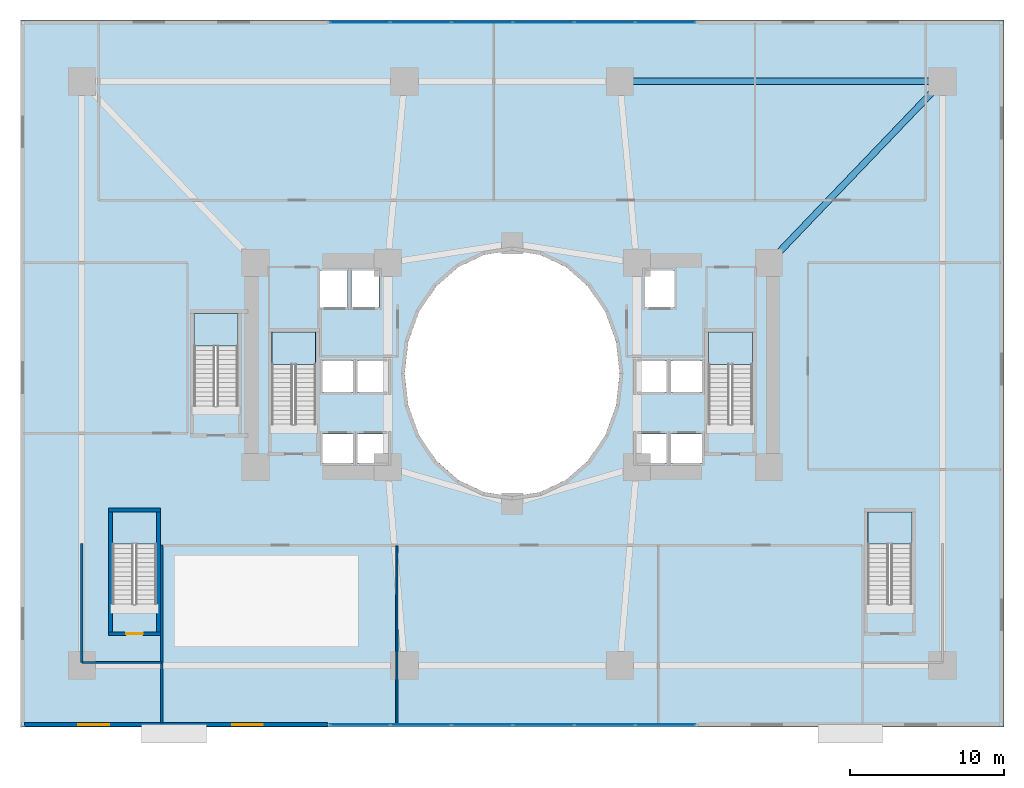
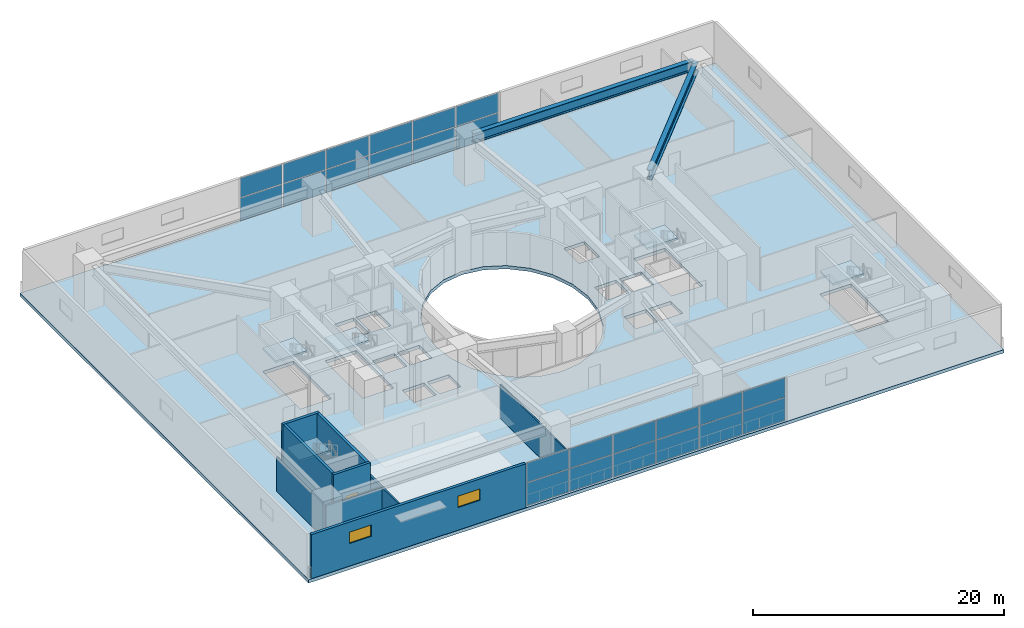
# One storey, part 10 of 20: 24 plates, 9 walls, 6 slabs, 2 beams, 2 windows, 1 door, 3 openings, 7 elements without a shape of their own.
"""IFC4 building model written with IfcOpenShell, lengths in metres."""

from ifc_helpers import new_model, si_unit, direction, frame, frame_2d, origin, origin_2d, place, context, subcontext, project, spatial, polyline, rectangle, i_section, outline, extrude, material, layer, layer_set, material_profile, profile_set, type_object, element, fill, aggregate, save


model = new_model("IFC4")

# Units and contexts
model_context = context("Model", 3, precision=1e-05, world=origin(), true_north=direction((0.0, 1.0)))
body_context = subcontext(model_context, "Body", "Model", "MODEL_VIEW")
ifc_project = project(units=[si_unit("LENGTHUNIT", "METRE"), si_unit("AREAUNIT", "SQUARE_METRE"), si_unit("VOLUMEUNIT", "CUBIC_METRE"), si_unit("PLANEANGLEUNIT", "RADIAN"), si_unit("MASSUNIT", "GRAM", prefix="KILO")], contexts=[model_context])

# Site, building, storey
site_placement = place(None, origin())
site = spatial("IfcSite", under=ifc_project, at=site_placement, CompositionType="ELEMENT")
building_placement = place(site_placement, origin())
building = spatial("IfcBuilding", under=site, at=building_placement, Name="Solvane Sanctuary Tower", CompositionType="ELEMENT")
storey_placement = place(building_placement, frame((0.0, 0.0, 9.199951171875)))
storey = spatial("IfcBuildingStorey", under=building, at=storey_placement, Name="L03", CompositionType="ELEMENT", Elevation=9.199951171875)

# Beams
ifc_material_1 = material(Name="Steel ASTM A913 Grade 65", Category="steel")
ifc_material_profile = material_profile(ifc_material_1, i_section(OverallWidth=0.423095703125, OverallDepth=0.947998046875, WebThickness=0.02392578125, FlangeThickness=0.042724609375, FilletRadius=0.02392578125, at=origin_2d()), Name="W36X302")
ifc_profile_set = profile_set([ifc_material_profile], Name="Steel ASTM A913 Grade 65")
beam_type = type_object("IfcBeamType", Name="Beam B-POD-GIRD W36X302", PredefinedType="BEAM", material=ifc_profile_set)
beam_1_placement = place(storey_placement, frame((59.64990234375, 42.0, 3.803955078125), z_axis=(-1.0, 0.0, 0.0), x_axis=(0.0, -1.0, 0.0)))
element("IfcBeam", 1, at=beam_1_placement, inside=storey, type_object=beam_type, Name="L03 Podium Primary Girder PG5", PredefinedType="BEAM", context=body_context, shape_type="SweptSolid", body=[
    extrude(i_section(OverallWidth=0.423095703125, OverallDepth=0.947998046875, WebThickness=0.02392578125, FlangeThickness=0.042724609375, FilletRadius=0.02392578125, at=origin_2d()), origin(), (0.0, 0.0, 1.0), 20.2998046875),
])
beam_2_placement = place(storey_placement, frame((59.7578125, 41.747314453125, 3.803955078125), z_axis=(-0.691633366234, -0.722248770654, 0.0), x_axis=(0.722248770654, -0.691633366234, 0.0)))
element("IfcBeam", 2, at=beam_2_placement, inside=storey, type_object=beam_type, Name="L03 Podium Primary Girder PG16", PredefinedType="BEAM", context=body_context, shape_type="SweptSolid", body=[
    extrude(i_section(OverallWidth=0.423095703125, OverallDepth=0.947998046875, WebThickness=0.02392578125, FlangeThickness=0.042724609375, FilletRadius=0.02392578125, at=origin_2d()), origin(), (0.0, 0.0, 1.0), 15.637939453125),
])

# Curtain wall, plates
ifc_material_2 = material(Name="Anodised Aluminium 6063-T6", Category="aluminium")
ifc_layer_1 = layer(ifc_material_2, 0.159912109375, Name="Anodised Aluminium 6063-T6")
ifc_layer_set_1 = layer_set([ifc_layer_1], Name="Anodised Aluminium 6063-T6")
curtain_wall_type = type_object("IfcCurtainWallType", Name="Curtain Wall CW-POD", PredefinedType="NOTDEFINED", material=ifc_layer_set_1)
curtain_wall_1_placement = place(storey_placement, origin())
curtain_wall_1 = element("IfcCurtainWall", 3, at=curtain_wall_1_placement, inside=storey, type_object=curtain_wall_type, Name="L03 Sanctuary Curtain Wall S2", PredefinedType="NOTDEFINED")
ifc_material_3 = material(Name="Dark Ceramic-Fritted Low-E Glass", Category="glass")
ifc_layer_2 = layer(ifc_material_3, 0.031982421875, Name="Dark Ceramic-Fritted Low-E Glass")
ifc_layer_set_2 = layer_set([ifc_layer_2], Name="Dark Ceramic-Fritted Low-E Glass")
plate_type = type_object("IfcPlateType", Name="Plate PN-FRIT-VIS", PredefinedType="CURTAIN_PANEL", material=ifc_layer_set_2)
plate_1_placement = place(storey_placement, frame((22.092041015625, 0.14990234375, 0.06494140625), z_axis=(0.0, 0.0, 1.0), x_axis=(1.0, 0.0, 0.0)))
plate_1 = element("IfcPlate", 4, at=plate_1_placement, type_object=plate_type, Name="CW-POD panel 1.1", PredefinedType="CURTAIN_PANEL", context=body_context, shape_type="SweptSolid", body=[
    extrude(rectangle(XDim=3.874267578125, YDim=0.031982421875, at=origin_2d()), origin(), (0.0, 0.0, 1.0), 2.202392578125),
])
plate_2_placement = place(storey_placement, frame((22.092041015625, 0.14990234375, 2.33251953125), z_axis=(0.0, 0.0, 1.0), x_axis=(1.0, 0.0, 0.0)))
plate_2 = element("IfcPlate", 5, at=plate_2_placement, type_object=plate_type, Name="CW-POD panel 1.2", PredefinedType="CURTAIN_PANEL", context=body_context, shape_type="SweptSolid", body=[
    extrude(rectangle(XDim=3.874267578125, YDim=0.031982421875, at=origin_2d()), origin(), (0.0, 0.0, 1.0), 1.882568359375),
])
plate_3_placement = place(storey_placement, frame((26.06005859375, 0.14990234375, 0.06494140625), z_axis=(0.0, 0.0, 1.0), x_axis=(1.0, 0.0, 0.0)))
plate_3 = element("IfcPlate", 6, at=plate_3_placement, type_object=plate_type, Name="CW-POD panel 2.1", PredefinedType="CURTAIN_PANEL", context=body_context, shape_type="SweptSolid", body=[
    extrude(rectangle(XDim=3.91162109375, YDim=0.031982421875, at=origin_2d()), origin(), (0.0, 0.0, 1.0), 2.202392578125),
])
plate_4_placement = place(storey_placement, frame((26.06005859375, 0.14990234375, 2.33251953125), z_axis=(0.0, 0.0, 1.0), x_axis=(1.0, 0.0, 0.0)))
plate_4 = element("IfcPlate", 7, at=plate_4_placement, type_object=plate_type, Name="CW-POD panel 2.2", PredefinedType="CURTAIN_PANEL", context=body_context, shape_type="SweptSolid", body=[
    extrude(rectangle(XDim=3.91162109375, YDim=0.031982421875, at=origin_2d()), origin(), (0.0, 0.0, 1.0), 1.882568359375),
])
plate_5_placement = place(storey_placement, frame((30.046630859375, 0.14990234375, 0.06494140625), z_axis=(0.0, 0.0, 1.0), x_axis=(1.0, 0.0, 0.0)))
plate_5 = element("IfcPlate", 8, at=plate_5_placement, type_object=plate_type, Name="CW-POD panel 3.1", PredefinedType="CURTAIN_PANEL", context=body_context, shape_type="SweptSolid", body=[
    extrude(rectangle(XDim=3.91162109375, YDim=0.031982421875, at=origin_2d()), origin(), (0.0, 0.0, 1.0), 2.202392578125),
])
plate_6_placement = place(storey_placement, frame((30.046630859375, 0.14990234375, 2.33251953125), z_axis=(0.0, 0.0, 1.0), x_axis=(1.0, 0.0, 0.0)))
plate_6 = element("IfcPlate", 9, at=plate_6_placement, type_object=plate_type, Name="CW-POD panel 3.2", PredefinedType="CURTAIN_PANEL", context=body_context, shape_type="SweptSolid", body=[
    extrude(rectangle(XDim=3.91162109375, YDim=0.031982421875, at=origin_2d()), origin(), (0.0, 0.0, 1.0), 1.882568359375),
])
plate_7_placement = place(storey_placement, frame((34.033447265625, 0.14990234375, 0.06494140625), z_axis=(0.0, 0.0, 1.0), x_axis=(1.0, 0.0, 0.0)))
plate_7 = element("IfcPlate", 10, at=plate_7_placement, type_object=plate_type, Name="CW-POD panel 4.1", PredefinedType="CURTAIN_PANEL", context=body_context, shape_type="SweptSolid", body=[
    extrude(rectangle(XDim=3.91162109375, YDim=0.031982421875, at=origin_2d()), origin(), (0.0, 0.0, 1.0), 2.202392578125),
])
plate_8_placement = place(storey_placement, frame((34.033447265625, 0.14990234375, 2.33251953125), z_axis=(0.0, 0.0, 1.0), x_axis=(1.0, 0.0, 0.0)))
plate_8 = element("IfcPlate", 11, at=plate_8_placement, type_object=plate_type, Name="CW-POD panel 4.2", PredefinedType="CURTAIN_PANEL", context=body_context, shape_type="SweptSolid", body=[
    extrude(rectangle(XDim=3.91162109375, YDim=0.031982421875, at=origin_2d()), origin(), (0.0, 0.0, 1.0), 1.882568359375),
])
plate_9_placement = place(storey_placement, frame((38.02001953125, 0.14990234375, 0.06494140625), z_axis=(0.0, 0.0, 1.0), x_axis=(1.0, 0.0, 0.0)))
plate_9 = element("IfcPlate", 12, at=plate_9_placement, type_object=plate_type, Name="CW-POD panel 5.1", PredefinedType="CURTAIN_PANEL", context=body_context, shape_type="SweptSolid", body=[
    extrude(rectangle(XDim=3.91162109375, YDim=0.031982421875, at=origin_2d()), origin(), (0.0, 0.0, 1.0), 2.202392578125),
])
plate_10_placement = place(storey_placement, frame((38.02001953125, 0.14990234375, 2.33251953125), z_axis=(0.0, 0.0, 1.0), x_axis=(1.0, 0.0, 0.0)))
plate_10 = element("IfcPlate", 13, at=plate_10_placement, type_object=plate_type, Name="CW-POD panel 5.2", PredefinedType="CURTAIN_PANEL", context=body_context, shape_type="SweptSolid", body=[
    extrude(rectangle(XDim=3.91162109375, YDim=0.031982421875, at=origin_2d()), origin(), (0.0, 0.0, 1.0), 1.882568359375),
])
plate_11_placement = place(storey_placement, frame((41.988037109375, 0.14990234375, 0.06494140625), z_axis=(0.0, 0.0, 1.0), x_axis=(1.0, 0.0, 0.0)))
plate_11 = element("IfcPlate", 14, at=plate_11_placement, type_object=plate_type, Name="CW-POD panel 6.1", PredefinedType="CURTAIN_PANEL", context=body_context, shape_type="SweptSolid", body=[
    extrude(rectangle(XDim=3.874267578125, YDim=0.031982421875, at=origin_2d()), origin(), (0.0, 0.0, 1.0), 2.202392578125),
])
plate_12_placement = place(storey_placement, frame((41.988037109375, 0.14990234375, 2.33251953125), z_axis=(0.0, 0.0, 1.0), x_axis=(1.0, 0.0, 0.0)))
plate_12 = element("IfcPlate", 15, at=plate_12_placement, type_object=plate_type, Name="CW-POD panel 6.2", PredefinedType="CURTAIN_PANEL", context=body_context, shape_type="SweptSolid", body=[
    extrude(rectangle(XDim=3.874267578125, YDim=0.031982421875, at=origin_2d()), origin(), (0.0, 0.0, 1.0), 1.882568359375),
])
aggregate(curtain_wall_1, [plate_1, plate_2, plate_3, plate_4, plate_5, plate_6, plate_7, plate_8, plate_9, plate_10, plate_11, plate_12])

curtain_wall_2_placement = place(storey_placement, origin())
curtain_wall_2 = element("IfcCurtainWall", 16, at=curtain_wall_2_placement, inside=storey, type_object=curtain_wall_type, Name="L03 Sanctuary Curtain Wall N2", PredefinedType="NOTDEFINED")
plate_13_placement = place(storey_placement, frame((41.988037109375, 45.85009765625, 0.06494140625), z_axis=(0.0, 0.0, 1.0), x_axis=(-1.0, 0.0, 0.0)))
plate_13 = element("IfcPlate", 17, at=plate_13_placement, type_object=plate_type, Name="CW-POD panel 1.1", PredefinedType="CURTAIN_PANEL", context=body_context, shape_type="SweptSolid", body=[
    extrude(rectangle(XDim=3.874267578125, YDim=0.031982421875, at=origin_2d()), origin(), (0.0, 0.0, 1.0), 2.202392578125),
])
plate_14_placement = place(storey_placement, frame((41.988037109375, 45.85009765625, 2.33251953125), z_axis=(0.0, 0.0, 1.0), x_axis=(-1.0, 0.0, 0.0)))
plate_14 = element("IfcPlate", 18, at=plate_14_placement, type_object=plate_type, Name="CW-POD panel 1.2", PredefinedType="CURTAIN_PANEL", context=body_context, shape_type="SweptSolid", body=[
    extrude(rectangle(XDim=3.874267578125, YDim=0.031982421875, at=origin_2d()), origin(), (0.0, 0.0, 1.0), 1.882568359375),
])
plate_15_placement = place(storey_placement, frame((38.02001953125, 45.85009765625, 0.06494140625), z_axis=(0.0, 0.0, 1.0), x_axis=(-1.0, 0.0, 0.0)))
plate_15 = element("IfcPlate", 19, at=plate_15_placement, type_object=plate_type, Name="CW-POD panel 2.1", PredefinedType="CURTAIN_PANEL", context=body_context, shape_type="SweptSolid", body=[
    extrude(rectangle(XDim=3.91162109375, YDim=0.031982421875, at=origin_2d()), origin(), (0.0, 0.0, 1.0), 2.202392578125),
])
plate_16_placement = place(storey_placement, frame((38.02001953125, 45.85009765625, 2.33251953125), z_axis=(0.0, 0.0, 1.0), x_axis=(-1.0, 0.0, 0.0)))
plate_16 = element("IfcPlate", 20, at=plate_16_placement, type_object=plate_type, Name="CW-POD panel 2.2", PredefinedType="CURTAIN_PANEL", context=body_context, shape_type="SweptSolid", body=[
    extrude(rectangle(XDim=3.91162109375, YDim=0.031982421875, at=origin_2d()), origin(), (0.0, 0.0, 1.0), 1.882568359375),
])
plate_17_placement = place(storey_placement, frame((34.033447265625, 45.85009765625, 0.06494140625), z_axis=(0.0, 0.0, 1.0), x_axis=(-1.0, 0.0, 0.0)))
plate_17 = element("IfcPlate", 21, at=plate_17_placement, type_object=plate_type, Name="CW-POD panel 3.1", PredefinedType="CURTAIN_PANEL", context=body_context, shape_type="SweptSolid", body=[
    extrude(rectangle(XDim=3.91162109375, YDim=0.031982421875, at=origin_2d()), origin(), (0.0, 0.0, 1.0), 2.202392578125),
])
plate_18_placement = place(storey_placement, frame((34.033447265625, 45.85009765625, 2.33251953125), z_axis=(0.0, 0.0, 1.0), x_axis=(-1.0, 0.0, 0.0)))
plate_18 = element("IfcPlate", 22, at=plate_18_placement, type_object=plate_type, Name="CW-POD panel 3.2", PredefinedType="CURTAIN_PANEL", context=body_context, shape_type="SweptSolid", body=[
    extrude(rectangle(XDim=3.91162109375, YDim=0.031982421875, at=origin_2d()), origin(), (0.0, 0.0, 1.0), 1.882568359375),
])
plate_19_placement = place(storey_placement, frame((30.046630859375, 45.85009765625, 0.06494140625), z_axis=(0.0, 0.0, 1.0), x_axis=(-1.0, 0.0, 0.0)))
plate_19 = element("IfcPlate", 23, at=plate_19_placement, type_object=plate_type, Name="CW-POD panel 4.1", PredefinedType="CURTAIN_PANEL", context=body_context, shape_type="SweptSolid", body=[
    extrude(rectangle(XDim=3.91162109375, YDim=0.031982421875, at=origin_2d()), origin(), (0.0, 0.0, 1.0), 2.202392578125),
])
plate_20_placement = place(storey_placement, frame((30.046630859375, 45.85009765625, 2.33251953125), z_axis=(0.0, 0.0, 1.0), x_axis=(-1.0, 0.0, 0.0)))
plate_20 = element("IfcPlate", 24, at=plate_20_placement, type_object=plate_type, Name="CW-POD panel 4.2", PredefinedType="CURTAIN_PANEL", context=body_context, shape_type="SweptSolid", body=[
    extrude(rectangle(XDim=3.91162109375, YDim=0.031982421875, at=origin_2d()), origin(), (0.0, 0.0, 1.0), 1.882568359375),
])
plate_21_placement = place(storey_placement, frame((26.06005859375, 45.85009765625, 0.06494140625), z_axis=(0.0, 0.0, 1.0), x_axis=(-1.0, 0.0, 0.0)))
plate_21 = element("IfcPlate", 25, at=plate_21_placement, type_object=plate_type, Name="CW-POD panel 5.1", PredefinedType="CURTAIN_PANEL", context=body_context, shape_type="SweptSolid", body=[
    extrude(rectangle(XDim=3.91162109375, YDim=0.031982421875, at=origin_2d()), origin(), (0.0, 0.0, 1.0), 2.202392578125),
])
plate_22_placement = place(storey_placement, frame((26.06005859375, 45.85009765625, 2.33251953125), z_axis=(0.0, 0.0, 1.0), x_axis=(-1.0, 0.0, 0.0)))
plate_22 = element("IfcPlate", 26, at=plate_22_placement, type_object=plate_type, Name="CW-POD panel 5.2", PredefinedType="CURTAIN_PANEL", context=body_context, shape_type="SweptSolid", body=[
    extrude(rectangle(XDim=3.91162109375, YDim=0.031982421875, at=origin_2d()), origin(), (0.0, 0.0, 1.0), 1.882568359375),
])
plate_23_placement = place(storey_placement, frame((22.092041015625, 45.85009765625, 0.06494140625), z_axis=(0.0, 0.0, 1.0), x_axis=(-1.0, 0.0, 0.0)))
plate_23 = element("IfcPlate", 27, at=plate_23_placement, type_object=plate_type, Name="CW-POD panel 6.1", PredefinedType="CURTAIN_PANEL", context=body_context, shape_type="SweptSolid", body=[
    extrude(rectangle(XDim=3.874267578125, YDim=0.031982421875, at=origin_2d()), origin(), (0.0, 0.0, 1.0), 2.202392578125),
])
plate_24_placement = place(storey_placement, frame((22.092041015625, 45.85009765625, 2.33251953125), z_axis=(0.0, 0.0, 1.0), x_axis=(-1.0, 0.0, 0.0)))
plate_24 = element("IfcPlate", 28, at=plate_24_placement, type_object=plate_type, Name="CW-POD panel 6.2", PredefinedType="CURTAIN_PANEL", context=body_context, shape_type="SweptSolid", body=[
    extrude(rectangle(XDim=3.874267578125, YDim=0.031982421875, at=origin_2d()), origin(), (0.0, 0.0, 1.0), 1.882568359375),
])
aggregate(curtain_wall_2, [plate_13, plate_14, plate_15, plate_16, plate_17, plate_18, plate_19, plate_20, plate_21, plate_22, plate_23, plate_24])

# Stair, slab
ifc_material_4 = material(Name="Concrete C45/55", Category="concrete")
stair_type_1 = type_object("IfcStairType", Name="Stair ST-TOW", PredefinedType="HALF_TURN_STAIR", material=ifc_material_4)
stair_1_placement = place(storey_placement, origin())
stair_1 = element("IfcStair", 29, at=stair_1_placement, inside=storey, type_object=stair_type_1, Name="L03 Exit Stair ST-1 West Core", PredefinedType="HALF_TURN_STAIR")
ifc_layer_3 = layer(ifc_material_4, 0.199951171875, Name="Concrete C45/55")
ifc_layer_set_3 = layer_set([ifc_layer_3], Name="Concrete C45/55")
slab_type_1 = type_object("IfcSlabType", Name="Slab SL-LAND-180", PredefinedType="LANDING", material=ifc_layer_set_3)
slab_1_placement = place(storey_placement, frame((0.0, 0.0, 2.10009765625)))
slab_1 = element("IfcSlab", 30, at=slab_1_placement, type_object=slab_type_1, Name="ST-1 landing 1", PredefinedType="LANDING", context=body_context, shape_type="SweptSolid", body=[
    extrude(outline(polyline([(19.219970703125, 23.60009765625), (19.219970703125, 25.699951171875), (16.360107421875, 25.699951171875), (16.360107421875, 23.60009765625), (19.219970703125, 23.60009765625)])), origin(), (0.0, 0.0, 1.0), 0.199951171875),
])
aggregate(stair_1, [slab_1])

stair_2_placement = place(storey_placement, origin())
stair_2 = element("IfcStair", 31, at=stair_2_placement, inside=storey, type_object=stair_type_1, Name="L03 Exit Stair ST-2 East Core", PredefinedType="HALF_TURN_STAIR")
slab_2_placement = place(storey_placement, frame((0.0, 0.0, 2.10009765625)))
slab_2 = element("IfcSlab", 32, at=slab_2_placement, type_object=slab_type_1, Name="ST-2 landing 1", PredefinedType="LANDING", context=body_context, shape_type="SweptSolid", body=[
    extrude(outline(polyline([(47.639892578125, 23.60009765625), (47.639892578125, 25.699951171875), (44.780029296875, 25.699951171875), (44.780029296875, 23.60009765625), (47.639892578125, 23.60009765625)])), origin(), (0.0, 0.0, 1.0), 0.199951171875),
])
aggregate(stair_2, [slab_2])

stair_3_placement = place(storey_placement, origin())
stair_3 = element("IfcStair", 33, at=stair_3_placement, inside=storey, type_object=stair_type_1, Name="L03 Exit Stair ST-3 Pilgrim Tower Stair", PredefinedType="HALF_TURN_STAIR")
slab_3_placement = place(storey_placement, frame((0.0, 0.0, 2.10009765625)))
slab_3 = element("IfcSlab", 34, at=slab_3_placement, type_object=slab_type_1, Name="ST-3 landing 1", PredefinedType="LANDING", context=body_context, shape_type="SweptSolid", body=[
    extrude(outline(polyline([(14.159912109375, 24.800048828125), (14.159912109375, 26.89990234375), (11.300048828125, 26.89990234375), (11.300048828125, 24.800048828125), (14.159912109375, 24.800048828125)])), origin(), (0.0, 0.0, 1.0), 0.199951171875),
])
aggregate(stair_3, [slab_3])

ifc_material_5 = material(Name="Concrete C50/60", Category="concrete")
stair_type_2 = type_object("IfcStairType", Name="Stair ST-POD", PredefinedType="HALF_TURN_STAIR", material=ifc_material_5)
stair_4_placement = place(storey_placement, origin())
stair_4 = element("IfcStair", 35, at=stair_4_placement, inside=storey, type_object=stair_type_2, Name="L03 Exit Stair ST-4 Metro West Stair", PredefinedType="HALF_TURN_STAIR")
slab_4_placement = place(storey_placement, frame((0.0, 0.0, 2.10009765625)))
slab_4 = element("IfcSlab", 36, at=slab_4_placement, type_object=slab_type_1, Name="ST-4 landing 1", PredefinedType="LANDING", context=body_context, shape_type="SweptSolid", body=[
    extrude(outline(polyline([(8.860107421875, 11.89990234375), (8.860107421875, 14.0), (6.0, 14.0), (6.0, 11.89990234375), (8.860107421875, 11.89990234375)])), origin(), (0.0, 0.0, 1.0), 0.199951171875),
])
aggregate(stair_4, [slab_4])

stair_type_3 = type_object("IfcStairType", Name="Stair ST-METRO", PredefinedType="HALF_TURN_STAIR", material=ifc_material_5)
stair_5_placement = place(storey_placement, origin())
stair_5 = element("IfcStair", 37, at=stair_5_placement, inside=storey, type_object=stair_type_3, Name="L03 Exit Stair ST-5 Metro East Stair", PredefinedType="HALF_TURN_STAIR")
slab_5_placement = place(storey_placement, frame((0.0, 0.0, 2.10009765625)))
slab_5 = element("IfcSlab", 38, at=slab_5_placement, type_object=slab_type_1, Name="ST-5 landing 1", PredefinedType="LANDING", context=body_context, shape_type="SweptSolid", body=[
    extrude(outline(polyline([(58.0, 11.89990234375), (58.0, 14.0), (55.139892578125, 14.0), (55.139892578125, 11.89990234375), (58.0, 11.89990234375)])), origin(), (0.0, 0.0, 1.0), 0.199951171875),
])
aggregate(stair_5, [slab_5])

# Slab
ifc_layer_4 = layer(ifc_material_5, 0.320068359375, Name="Concrete C50/60")
ifc_layer_set_4 = layer_set([ifc_layer_4], Name="Concrete C50/60")
slab_type_2 = type_object("IfcSlabType", Name="Slab SL-POD-300", PredefinedType="FLOOR", material=ifc_layer_set_4)
slab_6_placement = place(storey_placement, frame((0.0, 0.0, -0.320068359375)))
element("IfcSlab", 39, at=slab_6_placement, inside=storey, type_object=slab_type_2, Name="L03 Primary Structural Slab", PredefinedType="FLOOR", context=body_context, shape_type="SweptSolid", body=[
    extrude(outline(polyline([(0.0, 0.0), (64.0, 0.0), (64.0, 46.0), (0.0, 46.0), (0.0, 0.0)]), holes=[polyline([(38.761474609375, 20.929443359375), (38.062255859375, 19.0), (36.94970703125, 17.343017578125), (35.5, 16.07177734375), (33.811767578125, 15.272705078125), (32.0, 15.0), (30.188232421875, 15.272705078125), (28.5, 16.07177734375), (27.05029296875, 17.343017578125), (25.937744140625, 19.0), (25.238525390625, 20.929443359375), (25.0, 23.0), (25.238525390625, 25.070556640625), (25.937744140625, 27.0), (27.05029296875, 28.656982421875), (28.5, 29.92822265625), (30.188232421875, 30.727294921875), (32.0, 31.0), (33.811767578125, 30.727294921875), (35.5, 29.92822265625), (36.94970703125, 28.656982421875), (38.062255859375, 27.0), (38.761474609375, 25.070556640625), (39.0, 23.0), (38.761474609375, 20.929443359375)]), polyline([(16.360107421875, 19.699951171875), (16.360107421875, 25.699951171875), (19.219970703125, 25.699951171875), (19.219970703125, 19.699951171875), (16.360107421875, 19.699951171875)]), polyline([(44.780029296875, 19.699951171875), (44.780029296875, 25.699951171875), (47.639892578125, 25.699951171875), (47.639892578125, 19.699951171875), (44.780029296875, 19.699951171875)]), polyline([(11.300048828125, 20.89990234375), (11.300048828125, 26.89990234375), (14.159912109375, 26.89990234375), (14.159912109375, 20.89990234375), (11.300048828125, 20.89990234375)]), polyline([(6.0, 8.0), (6.0, 14.0), (8.860107421875, 14.0), (8.860107421875, 8.0), (6.0, 8.0)]), polyline([(55.139892578125, 8.0), (55.139892578125, 14.0), (58.0, 14.0), (58.0, 8.0), (55.139892578125, 8.0)]), polyline([(19.64990234375, 19.080078125), (21.64990234375, 19.080078125), (21.64990234375, 17.179931640625), (19.64990234375, 17.179931640625), (19.64990234375, 19.080078125)]), polyline([(21.949951171875, 19.080078125), (23.949951171875, 19.080078125), (23.949951171875, 17.179931640625), (21.949951171875, 17.179931640625), (21.949951171875, 19.080078125)]), polyline([(40.050048828125, 19.080078125), (42.050048828125, 19.080078125), (42.050048828125, 17.179931640625), (40.050048828125, 17.179931640625), (40.050048828125, 19.080078125)]), polyline([(42.35009765625, 19.080078125), (44.35009765625, 19.080078125), (44.35009765625, 17.179931640625), (42.35009765625, 17.179931640625), (42.35009765625, 19.080078125)]), polyline([(19.64990234375, 23.800048828125), (21.64990234375, 23.800048828125), (21.64990234375, 21.800048828125), (19.64990234375, 21.800048828125), (19.64990234375, 23.800048828125)]), polyline([(42.35009765625, 23.800048828125), (44.35009765625, 23.800048828125), (44.35009765625, 21.800048828125), (42.35009765625, 21.800048828125), (42.35009765625, 23.800048828125)]), polyline([(21.949951171875, 23.800048828125), (23.949951171875, 23.800048828125), (23.949951171875, 21.800048828125), (21.949951171875, 21.800048828125), (21.949951171875, 23.800048828125)]), polyline([(40.050048828125, 23.800048828125), (42.050048828125, 23.800048828125), (42.050048828125, 21.800048828125), (40.050048828125, 21.800048828125), (40.050048828125, 23.800048828125)]), polyline([(19.5, 29.699951171875), (21.300048828125, 29.699951171875), (21.300048828125, 27.300048828125), (19.5, 27.300048828125), (19.5, 29.699951171875)]), polyline([(21.550048828125, 29.699951171875), (23.35009765625, 29.699951171875), (23.35009765625, 27.300048828125), (21.550048828125, 27.300048828125), (21.550048828125, 29.699951171875)]), polyline([(40.64990234375, 29.699951171875), (42.550048828125, 29.699951171875), (42.550048828125, 27.300048828125), (40.64990234375, 27.300048828125), (40.64990234375, 29.699951171875)])]), origin(), (0.0, 0.0, 1.0), 0.320068359375),
])

# Walls
ifc_material_6 = material(Name="Acoustic Gypsum Partition Board")
ifc_layer_5 = layer(ifc_material_6, 0.14990234375, Name="Acoustic Gypsum Partition Board")
ifc_layer_set_5 = layer_set([ifc_layer_5], Name="Acoustic Gypsum Partition Board")
wall_type_1 = type_object("IfcWallType", Name="Wall W-CORR-150", PredefinedType="PARTITIONING", material=ifc_layer_set_5)
wall_1_placement = place(storey_placement, frame((9.199951171875, 0.25, 0.0), z_axis=(0.0, 0.0, 1.0), x_axis=(0.0, 1.0, 0.0)))
element("IfcWall", 40, at=wall_1_placement, inside=storey, type_object=wall_type_1, Name="L03 West Hall End Wall", PredefinedType="PARTITIONING", context=body_context, shape_type="SweptSolid", body=[
    extrude(rectangle(XDim=11.580078125, YDim=0.14990234375, at=frame_2d((5.7900390625, 0.0))), origin(), (0.0, 0.0, 1.0), 3.300048828125),
])
wall_2_placement = place(storey_placement, frame((4.0, 4.199951171875, 0.0), z_axis=(0.0, 0.0, 1.0), x_axis=(0.0, 1.0, 0.0)))
element("IfcWall", 41, at=wall_2_placement, inside=storey, type_object=wall_type_1, Name="L03 ST-4 Link West Wall", PredefinedType="PARTITIONING", context=body_context, shape_type="SweptSolid", body=[
    extrude(rectangle(XDim=7.75, YDim=0.14990234375, at=frame_2d((3.875, 0.0))), origin(), (0.0, 0.0, 1.0), 3.300048828125),
])
wall_3_placement = place(storey_placement, frame((4.0, 4.199951171875, 0.0), z_axis=(0.0, 0.0, 1.0), x_axis=(1.0, 0.0, 0.0)))
element("IfcWall", 42, at=wall_3_placement, inside=storey, type_object=wall_type_1, Name="L03 ST-4 Lobby South Wall", PredefinedType="PARTITIONING", context=body_context, shape_type="SweptSolid", body=[
    extrude(rectangle(XDim=5.199951171875, YDim=0.14990234375, at=frame_2d((2.60009765625, 0.0))), origin(), (0.0, 0.0, 1.0), 3.300048828125),
])

# Wall, openings, windows
ifc_material_7 = material(Name="Precast concrete C40/50", Category="concrete")
ifc_layer_6 = layer(ifc_material_7, 0.260009765625, Name="Precast concrete C40/50")
ifc_layer_set_6 = layer_set([ifc_layer_6], Name="Precast concrete C40/50")
wall_type_2 = type_object("IfcWallType", Name="Wall W-EXT-250", PredefinedType="STANDARD", material=ifc_layer_set_6)
wall_4_placement = place(storey_placement, frame((0.280029296875, 0.14990234375, 0.0), z_axis=(0.0, 0.0, 1.0), x_axis=(1.0, 0.0, 0.0)))
wall_4 = element("IfcWall", 43, at=wall_4_placement, inside=storey, type_object=wall_type_2, Name="L03 Podium Facade Wall S1", PredefinedType="STANDARD", context=body_context, shape_type="SweptSolid", body=[
    extrude(rectangle(XDim=19.719970703125, YDim=0.260009765625, at=frame_2d((9.85986328125, 0.0))), origin(), (0.0, 0.0, 1.0), 4.280029296875),
])
opening_1_placement = place(wall_4_placement, frame((3.5, 0.0, 2.199951171875)))
opening_1 = element("IfcOpeningElement", 44, at=opening_1_placement, cuts=wall_4, Name="Opening WN-CLER-2000", PredefinedType="OPENING", context=body_context, shape_type="SweptSolid", body=[
    extrude(rectangle(XDim=2.0, YDim=1.10009765625, at=frame_2d((1.0, 0.550048828125))), frame((0.0, 0.139892578125, 0.0), z_axis=(0.0, -1.0, 0.0), x_axis=(1.0, 0.0, 0.0)), (0.0, 0.0, 1.0), 0.280029296875),
])
opening_2_placement = place(wall_4_placement, frame((13.5, 0.0, 2.199951171875)))
opening_2 = element("IfcOpeningElement", 45, at=opening_2_placement, cuts=wall_4, Name="Opening WN-CLER-2000", PredefinedType="OPENING", context=body_context, shape_type="SweptSolid", body=[
    extrude(rectangle(XDim=2.0, YDim=1.10009765625, at=frame_2d((1.0, 0.550048828125))), frame((0.0, 0.139892578125, 0.0), z_axis=(0.0, -1.0, 0.0), x_axis=(1.0, 0.0, 0.0)), (0.0, 0.0, 1.0), 0.280029296875),
])
window_type = type_object("IfcWindowType", Name="Window WN-CLER-2000", PartitioningType="SINGLE_PANEL", PredefinedType="WINDOW", material=ifc_material_3)
window_1_placement = place(opening_1_placement, origin())
window_1 = element("IfcWindow", 46, at=window_1_placement, inside=storey, type_object=window_type, Name="L03 Podium Window S1-3", OverallHeight=1.10009765625, OverallWidth=2.0, PartitioningType="SINGLE_PANEL", PredefinedType="WINDOW", context=body_context, shape_type="SweptSolid", body=[
    extrude(rectangle(XDim=2.0, YDim=1.10009765625, at=frame_2d((1.0, 0.550048828125))), frame((0.0, 0.030029296875, 0.0), z_axis=(0.0, -1.0, 0.0), x_axis=(1.0, 0.0, 0.0)), (0.0, 0.0, 1.0), 0.06005859375),
])
fill(opening_1, window_1)
window_2_placement = place(opening_2_placement, origin())
window_2 = element("IfcWindow", 47, at=window_2_placement, inside=storey, type_object=window_type, Name="L03 Podium Window S1-13", OverallHeight=1.10009765625, OverallWidth=2.0, PartitioningType="SINGLE_PANEL", PredefinedType="WINDOW", context=body_context, shape_type="SweptSolid", body=[
    extrude(rectangle(XDim=2.0, YDim=1.10009765625, at=frame_2d((1.0, 0.550048828125))), frame((0.0, 0.030029296875, 0.0), z_axis=(0.0, -1.0, 0.0), x_axis=(1.0, 0.0, 0.0)), (0.0, 0.0, 1.0), 0.06005859375),
])
fill(opening_2, window_2)

# Wall
ifc_layer_7 = layer(ifc_material_6, 0.1201171875, Name="Acoustic Gypsum Partition Board")
ifc_layer_set_7 = layer_set([ifc_layer_7], Name="Acoustic Gypsum Partition Board")
wall_type_3 = type_object("IfcWallType", Name="Wall W-MOV-100", PredefinedType="MOVABLE", material=ifc_layer_set_7)
wall_5_placement = place(storey_placement, frame((24.5, 0.25, 0.0), z_axis=(0.0, 0.0, 1.0), x_axis=(0.0, 1.0, 0.0)))
element("IfcWall", 48, at=wall_5_placement, inside=storey, type_object=wall_type_3, Name="L03 Hall Dividing Partition GAL-W", PredefinedType="MOVABLE", context=body_context, shape_type="SweptSolid", body=[
    extrude(rectangle(XDim=11.530029296875, YDim=0.1201171875, at=frame_2d((5.76513671875, 0.0))), origin(), (0.0, 0.0, 1.0), 3.300048828125),
])

# Wall, opening, door
ifc_layer_8 = layer(ifc_material_5, 0.25, Name="Concrete C50/60")
ifc_layer_set_8 = layer_set([ifc_layer_8], Name="Concrete C50/60")
wall_type_4 = type_object("IfcWallType", Name="Wall W-SHAFT-250", PredefinedType="SOLIDWALL", material=ifc_layer_set_8)
wall_6_placement = place(storey_placement, frame((5.7451171875, 6.070068359375, 0.0), z_axis=(0.0, 0.0, 1.0), x_axis=(1.0, 0.0, 0.0)))
wall_6 = element("IfcWall", 49, at=wall_6_placement, inside=storey, type_object=wall_type_4, Name="L03 ST-4 Load-Bearing Shaft Wall S", PredefinedType="SOLIDWALL", context=body_context, shape_type="SweptSolid", body=[
    extrude(rectangle(XDim=3.369873046875, YDim=0.25, at=frame_2d((1.68505859375, 0.0))), origin(), (0.0, 0.0, 1.0), 4.60009765625),
])
opening_3_placement = place(wall_6_placement, frame((1.135009765625, 0.0, 0.0)))
opening_3 = element("IfcOpeningElement", 50, at=opening_3_placement, cuts=wall_6, Name="Opening D-L03-04", PredefinedType="OPENING", context=body_context, shape_type="SweptSolid", body=[
    extrude(rectangle(XDim=1.10009765625, YDim=2.10009765625, at=frame_2d((0.550048828125, 1.050048828125))), frame((0.0, 0.135009765625, 0.0), z_axis=(0.0, -1.0, 0.0), x_axis=(1.0, 0.0, 0.0)), (0.0, 0.0, 1.0), 0.27001953125),
])
ifc_material_8 = material(Name="Architectural Stainless Steel 316", Category="steel")
door_type = type_object("IfcDoorType", Name="Door D-STAIR", OperationType="NOTDEFINED", PredefinedType="DOOR", material=ifc_material_8)
door_placement = place(opening_3_placement, origin())
door = element("IfcDoor", 51, at=door_placement, inside=storey, type_object=door_type, Name="L03 ST-4 Exit Stair Fire Door", OperationType="SINGLE_SWING_RIGHT", OverallHeight=2.10009765625, OverallWidth=1.10009765625, PredefinedType="DOOR", context=body_context, shape_type="SweptSolid", body=[
    extrude(rectangle(XDim=1.10009765625, YDim=2.10009765625, at=frame_2d((0.550048828125, 1.050048828125))), frame((0.0, 0.02490234375, 0.0), z_axis=(0.0, -1.0, 0.0), x_axis=(1.0, 0.0, 0.0)), (0.0, 0.0, 1.0), 0.050048828125),
])
fill(opening_3, door)

# Walls
wall_7_placement = place(storey_placement, frame((5.7451171875, 14.1298828125, 0.0), z_axis=(0.0, 0.0, 1.0), x_axis=(1.0, 0.0, 0.0)))
element("IfcWall", 52, at=wall_7_placement, inside=storey, type_object=wall_type_4, Name="L03 ST-4 Load-Bearing Shaft Wall N", PredefinedType="SOLIDWALL", context=body_context, shape_type="SweptSolid", body=[
    extrude(rectangle(XDim=3.369873046875, YDim=0.25, at=frame_2d((1.68505859375, 0.0))), origin(), (0.0, 0.0, 1.0), 4.60009765625),
])
for number, where, z_axis, x_axis, name in (
    (53, (5.8701171875, 6.195068359375, 0.0), (0.0, 0.0, 1.0), (0.0, 1.0, 0.0), "L03 ST-4 Load-Bearing Shaft Wall W"),
    (54, (8.989990234375, 6.195068359375, 0.0), (0.0, 0.0, 1.0), (0.0, 1.0, 0.0), "L03 ST-4 Load-Bearing Shaft Wall E"),
):
    element("IfcWall", number, at=place(storey_placement, frame(where, z_axis=z_axis, x_axis=x_axis)), inside=storey, type_object=wall_type_4, Name=name, PredefinedType="SOLIDWALL", context=body_context, shape_type="SweptSolid", body=[
        extrude(rectangle(XDim=7.809814453125, YDim=0.25, at=frame_2d((3.90478515625, 0.0))), origin(), (0.0, 0.0, 1.0), 4.60009765625),
    ])

save(model, "model.ifc")
